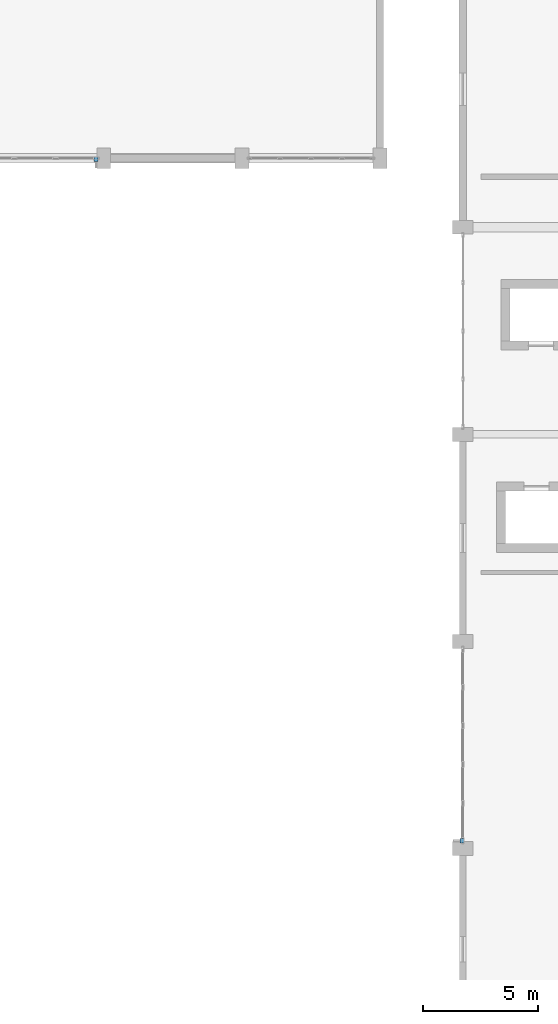
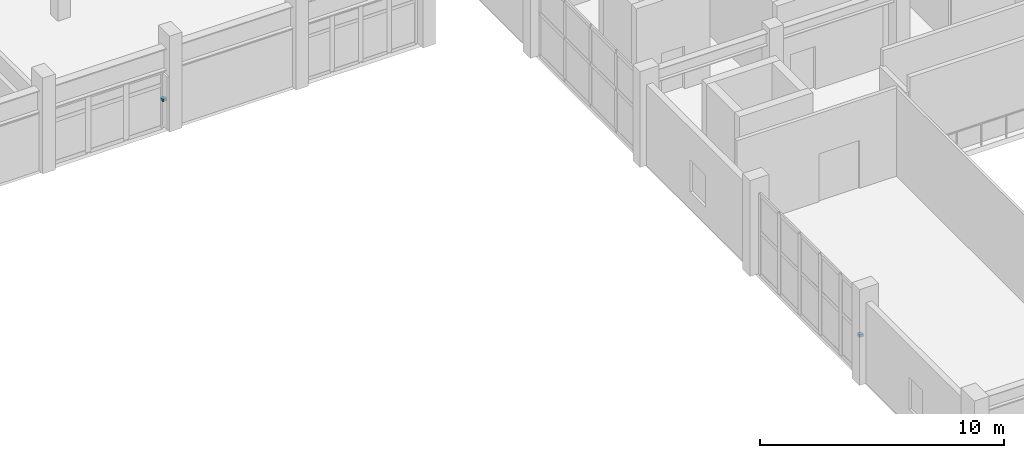
# One storey, part 48 of 62: 2 discrete accessories.
"""IFC4 building model written with IfcOpenShell, lengths in metres."""

from ifc_helpers import new_model, si_unit, direction, frame, origin, origin_2d, place, context, subcontext, project, spatial, rectangle, extrude, material, layer, layer_set, type_object, element, save


model = new_model("IFC4")

# Units and contexts
model_context = context("Model", 3, precision=1e-05, world=origin(), true_north=direction((0.0, 1.0)))
body_context = subcontext(model_context, "Body", "Model", "MODEL_VIEW")
ifc_project = project(units=[si_unit("LENGTHUNIT", "METRE"), si_unit("AREAUNIT", "SQUARE_METRE"), si_unit("VOLUMEUNIT", "CUBIC_METRE"), si_unit("PLANEANGLEUNIT", "RADIAN"), si_unit("MASSUNIT", "GRAM", prefix="KILO")], contexts=[model_context])

# Site, building, storey
site_placement = place(None, origin())
site = spatial("IfcSite", under=ifc_project, at=site_placement, CompositionType="ELEMENT")
building_placement = place(site_placement, origin())
building = spatial("IfcBuilding", under=site, at=building_placement, Name="Vaelkrest Opera House", CompositionType="ELEMENT")
storey_placement = place(building_placement, frame((0.0, 0.0, 19.800048828125)))
storey = spatial("IfcBuildingStorey", under=building, at=storey_placement, Name="L04", CompositionType="ELEMENT", Elevation=19.800048828125)

# Discrete accessories
ifc_material = material(Name="Steel A572 Gr50", Category="steel")
ifc_layer = layer(ifc_material, 0.139892578125)
ifc_layer_set = layer_set([ifc_layer], Name="Steel A572 Gr50")
discrete_accessory_type = type_object("IfcDiscreteAccessoryType", Name="BRK01", PredefinedType="BRACKET", material=ifc_layer_set)
for number, where, z_axis, x_axis, name in (
    (1, (-30.0400390625, -46.4619140625, 1.9521484375), (0.0, 0.0, 1.0), (-1.0, 0.0, 0.0), "Shading fin bracket 07"),
    (2, (-45.93798828125, -16.840087890625, 1.35595703125), (0.0, 0.0, 1.0), (0.0, -1.0, 0.0), "Shading fin bracket 17"),
):
    element("IfcDiscreteAccessory", number, at=place(storey_placement, frame(where, z_axis=z_axis, x_axis=x_axis)), inside=storey, type_object=discrete_accessory_type, Name=name, PredefinedType="BRACKET", context=body_context, shape_type="SweptSolid", body=[
        extrude(rectangle(XDim=0.179931640625, YDim=0.179931640625, at=origin_2d()), origin(), (0.0, 0.0, 1.0), 0.139892578125),
    ])

save(model, "model.ifc")
